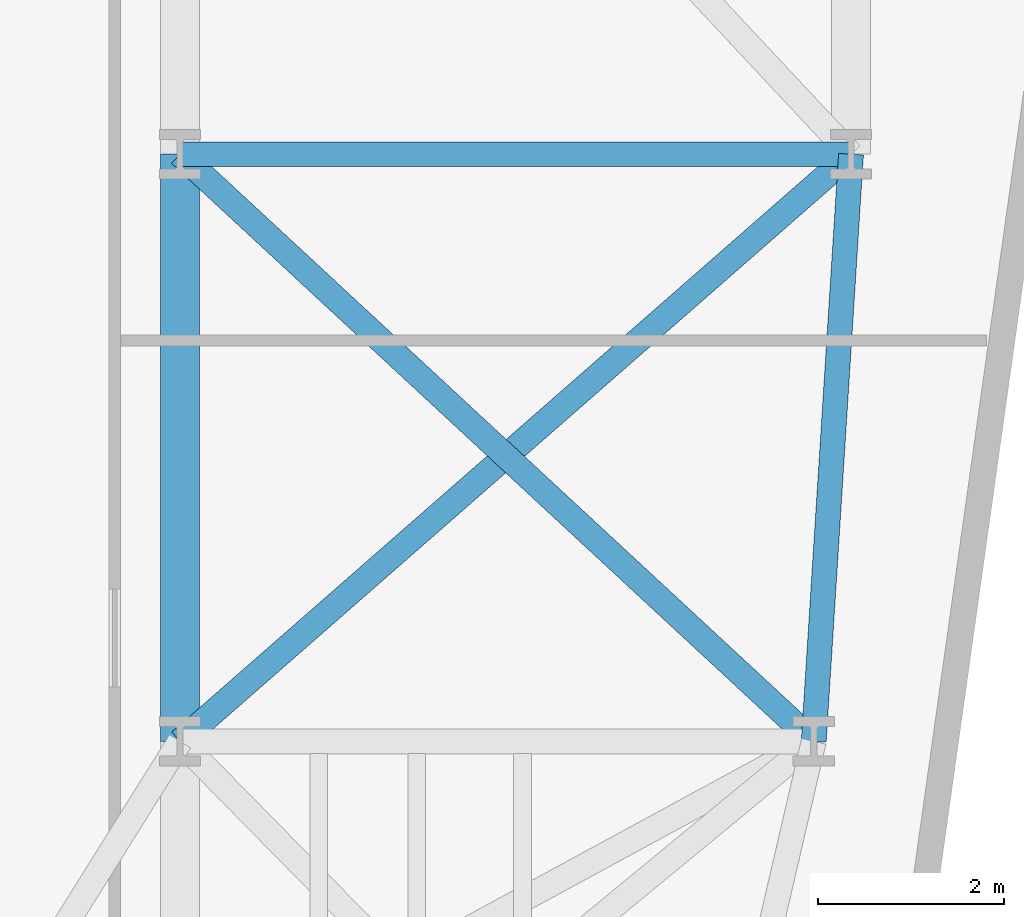
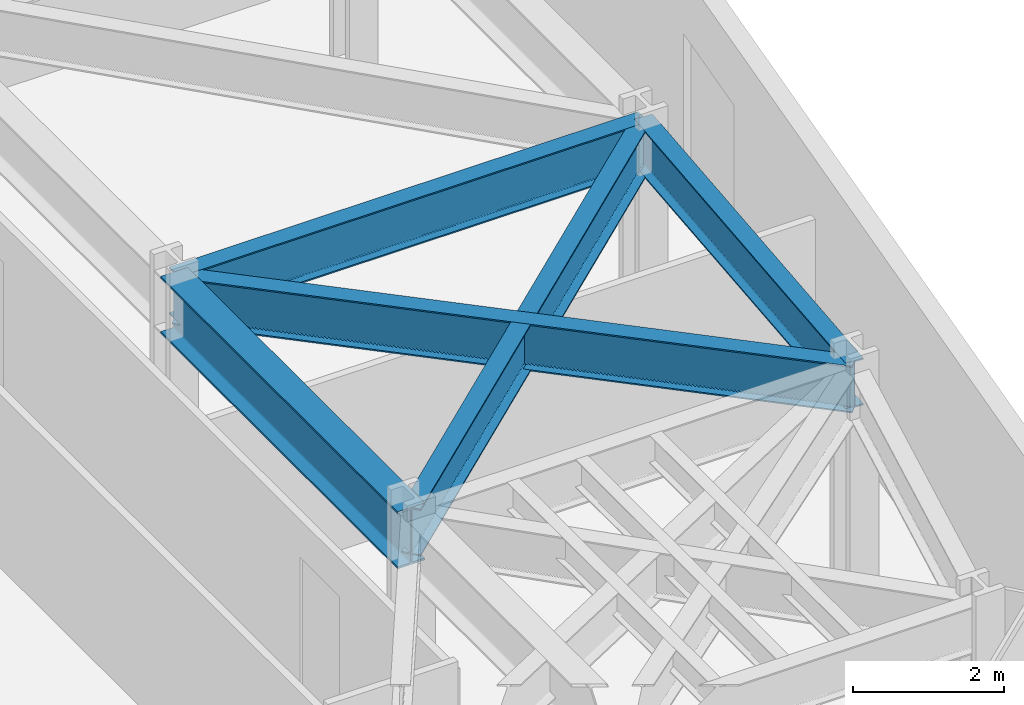
# One storey, part 14 of 25: 5 beams.
"""IFC4 building model written with IfcOpenShell, lengths in metres."""

from ifc_helpers import new_model, si_unit, direction, frame, origin, origin_2d, place, context, subcontext, project, spatial, i_section, extrude, material, material_profile, profile_set, type_object, element, save


model = new_model("IFC4")

# Units and contexts
model_context = context("Model", 3, precision=1e-05, world=origin(), true_north=direction((0.0, 1.0)))
body_context = subcontext(model_context, "Body", "Model", "MODEL_VIEW")
ifc_project = project(units=[si_unit("LENGTHUNIT", "METRE"), si_unit("AREAUNIT", "SQUARE_METRE"), si_unit("VOLUMEUNIT", "CUBIC_METRE"), si_unit("PLANEANGLEUNIT", "RADIAN"), si_unit("MASSUNIT", "GRAM", prefix="KILO")], contexts=[model_context])

# Site, building, storey
site_placement = place(None, origin())
site = spatial("IfcSite", under=ifc_project, at=site_placement, CompositionType="ELEMENT")
building_placement = place(site_placement, origin())
building = spatial("IfcBuilding", under=site, at=building_placement, Name="Kravanh Interchange Tower", CompositionType="ELEMENT")
storey_placement = place(building_placement, frame((0.0, 0.0, 49.5)))
storey = spatial("IfcBuildingStorey", under=building, at=storey_placement, Name="L11", CompositionType="ELEMENT", Elevation=49.5)

# Beams
ifc_material_1 = material(Name="Structural Steel S355", Category="steel")
ifc_material_profile_1 = material_profile(ifc_material_1, i_section(OverallWidth=0.41796875, OverallDepth=0.927001953125, WebThickness=0.019287109375, FlangeThickness=0.031982421875, FilletRadius=0.028076171875, at=origin_2d()), Name="W36X231")
ifc_profile_set_1 = profile_set([ifc_material_profile_1], Name="Structural Steel S355")
beam_type_1 = type_object("IfcBeamType", Name="Floor Beam W36X231 Structural Steel S355", PredefinedType="BEAM", material=ifc_profile_set_1)
beam_1_placement = place(storey_placement, frame((56.0, 14.5, 3.276611328125), z_axis=(0.0, -1.0, 0.0), x_axis=(1.0, 0.0, 0.0)))
element("IfcBeam", 1, at=beam_1_placement, inside=storey, type_object=beam_type_1, Name="L11 Primary Floor Girder 42", PredefinedType="BEAM", context=body_context, shape_type="SweptSolid", body=[
    extrude(i_section(OverallWidth=0.41796875, OverallDepth=0.927001953125, WebThickness=0.019287109375, FlangeThickness=0.031982421875, FilletRadius=0.028076171875, at=origin_2d()), origin(), (0.0, 0.0, 1.0), 6.300048828125),
])
ifc_material_2 = material(Name="Structural Steel S355", Category="steel")
ifc_material_profile_2 = material_profile(ifc_material_2, i_section(OverallWidth=0.26708984375, OverallDepth=0.761962890625, WebThickness=0.014404296875, FlangeThickness=0.021484375, FilletRadius=0.02490234375, at=origin_2d()), Name="W30X116")
ifc_profile_set_2 = profile_set([ifc_material_profile_2], Name="Structural Steel S355")
beam_type_2 = type_object("IfcBeamType", Name="Floor Spandrel W30X116 Structural Steel S355", PredefinedType="SPANDREL", material=ifc_profile_set_2)
beam_2_placement = place(storey_placement, frame((56.0, 14.5, 3.35888671875), z_axis=(1.0, 0.0, 0.0), x_axis=(0.0, 1.0, 0.0)))
element("IfcBeam", 2, at=beam_2_placement, inside=storey, type_object=beam_type_2, Name="L11 Perimeter Spandrel 43", PredefinedType="SPANDREL", context=body_context, shape_type="SweptSolid", body=[
    extrude(i_section(OverallWidth=0.26708984375, OverallDepth=0.761962890625, WebThickness=0.014404296875, FlangeThickness=0.021484375, FilletRadius=0.02490234375, at=origin_2d()), origin(), (0.0, 0.0, 1.0), 7.199951171875),
])
beam_3_placement = place(storey_placement, frame((56.0, 14.5, 3.35888671875), z_axis=(0.733561267923, -0.679623326706, 0.0), x_axis=(0.679623326706, 0.733561267923, 0.0)))
element("IfcBeam", 3, at=beam_3_placement, inside=storey, type_object=beam_type_2, Name="L11 Perimeter Spandrel 45", PredefinedType="SPANDREL", context=body_context, shape_type="SweptSolid", body=[
    extrude(i_section(OverallWidth=0.26708984375, OverallDepth=0.761962890625, WebThickness=0.014404296875, FlangeThickness=0.021484375, FilletRadius=0.02490234375, at=origin_2d()), origin(), (0.0, 0.0, 1.0), 9.27001953125),
])
beam_4_placement = place(storey_placement, frame((63.199951171875, 14.5, 3.35888671875), z_axis=(-0.063348576418, -0.99799146182, 0.0), x_axis=(0.99799146182, -0.063348576418, 0.0)))
element("IfcBeam", 4, at=beam_4_placement, inside=storey, type_object=beam_type_2, Name="L11 Perimeter Spandrel 46", PredefinedType="SPANDREL", context=body_context, shape_type="SweptSolid", body=[
    extrude(i_section(OverallWidth=0.26708984375, OverallDepth=0.761962890625, WebThickness=0.014404296875, FlangeThickness=0.021484375, FilletRadius=0.02490234375, at=origin_2d()), origin(), (0.0, 0.0, 1.0), 6.312744140625),
])
beam_5_placement = place(storey_placement, frame((63.199951171875, 14.5, 3.35888671875), z_axis=(-0.752571952274, -0.658510027752, 0.0), x_axis=(0.658510027752, -0.752571952274, 0.0)))
element("IfcBeam", 5, at=beam_5_placement, inside=storey, type_object=beam_type_2, Name="L11 Perimeter Spandrel 48", PredefinedType="SPANDREL", context=body_context, shape_type="SweptSolid", body=[
    extrude(i_section(OverallWidth=0.26708984375, OverallDepth=0.761962890625, WebThickness=0.014404296875, FlangeThickness=0.021484375, FilletRadius=0.02490234375, at=origin_2d()), origin(), (0.0, 0.0, 1.0), 9.567138671875),
])

save(model, "model.ifc")
